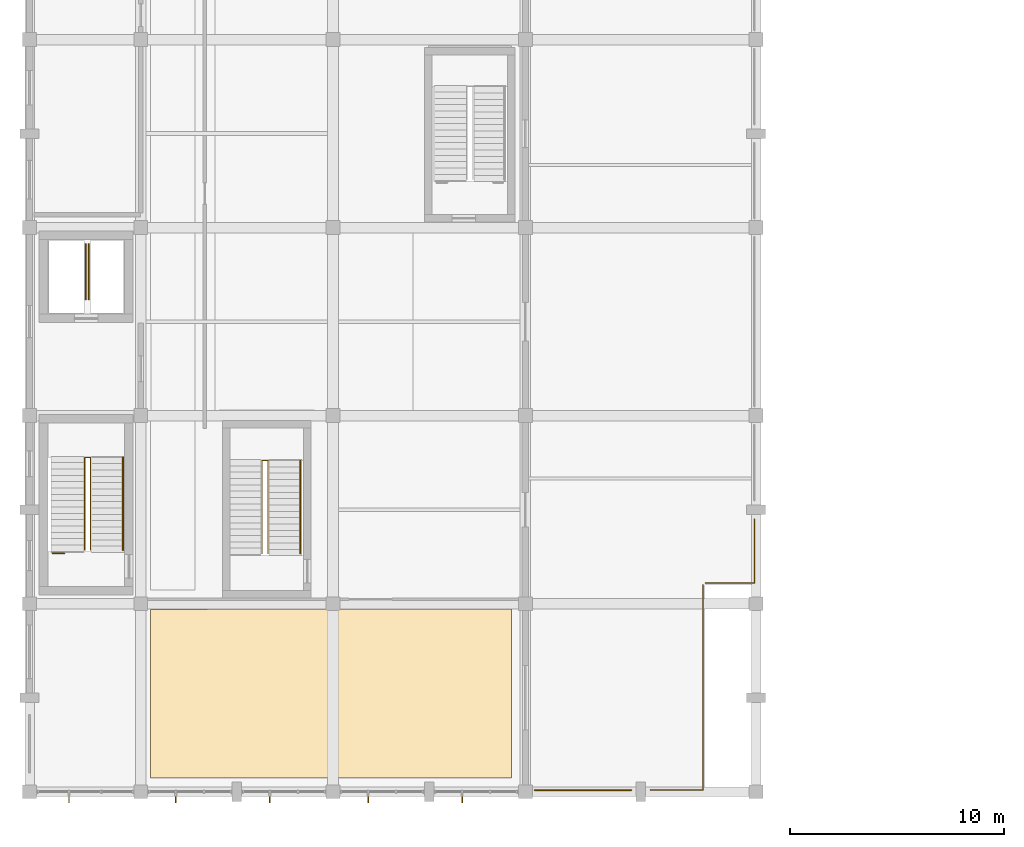
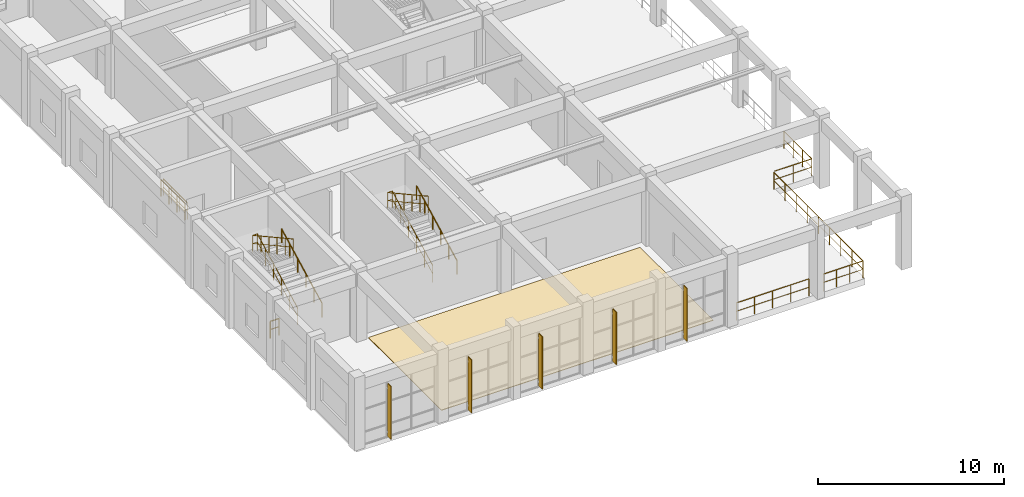
# One storey, part 94 of 104: 9 railings, 5 shading devices, 1 covering.
"""IFC4 building model written with IfcOpenShell, lengths in metres."""

from ifc_helpers import new_model, si_unit, direction, frame, origin, origin_2d, place, context, subcontext, project, spatial, polyline, rectangle, circle, outline, extrude, material, layer, layer_set, type_object, element, save


model = new_model("IFC4")

# Units and contexts
model_context = context("Model", 3, precision=1e-05, world=origin(), true_north=direction((0.0, 1.0)))
body_context = subcontext(model_context, "Body", "Model", "MODEL_VIEW")
ifc_project = project(units=[si_unit("LENGTHUNIT", "METRE"), si_unit("AREAUNIT", "SQUARE_METRE"), si_unit("VOLUMEUNIT", "CUBIC_METRE"), si_unit("PLANEANGLEUNIT", "RADIAN"), si_unit("MASSUNIT", "GRAM", prefix="KILO")], contexts=[model_context])

# Site, building, storey
site_placement = place(None, origin())
site = spatial("IfcSite", under=ifc_project, at=site_placement, CompositionType="ELEMENT")
building_placement = place(site_placement, origin())
building = spatial("IfcBuilding", under=site, at=building_placement, Name="Ventoquebrada Cableway Terminal", CompositionType="ELEMENT")
storey_placement = place(building_placement, frame((0.0, 0.0, 4.800048828125)))
storey = spatial("IfcBuildingStorey", under=building, at=storey_placement, Name="L01", CompositionType="ELEMENT", Elevation=4.800048828125)

# Covering
ifc_material_1 = material(Name="Honed volcanic basalt stone flooring", Category="masonry")
ifc_layer = layer(ifc_material_1, 0.034912109375)
ifc_layer_set = layer_set([ifc_layer], Name="Honed volcanic basalt stone flooring")
covering_type = type_object("IfcCoveringType", Name="COV-FL01", PredefinedType="FLOORING", material=ifc_layer_set)
covering_placement = place(storey_placement, origin())
element("IfcCovering", 1, at=covering_placement, inside=storey, type_object=covering_type, Name="Honed basalt floor finish FL-03", PredefinedType="FLOORING", context=body_context, shape_type="SweptSolid", body=[
    extrude(outline(polyline([(25.550048828125, 3.64990234375), (25.550048828125, 11.550048828125), (11.339111328125, 11.550048828125), (11.2919921875, 11.530029296875), (8.64990234375, 11.530029296875), (8.64990234375, 3.64990234375), (25.550048828125, 3.64990234375)])), origin(), (0.0, 0.0, 1.0), 0.034912109375),
])

# Railings
ifc_material_2 = material(Name="Brushed stainless steel Grade 316", Category="steel")
railing_type_1 = type_object("IfcRailingType", Name="RL-GD01", PredefinedType="GUARDRAIL", material=ifc_material_2)
railing_1_placement = place(storey_placement, frame((5.860107421875, 14.300048828125, 0.14990234375)))
element("IfcRailing", 2, at=railing_1_placement, inside=storey, type_object=railing_type_1, Name="Stair well guardrail GR-S05", PredefinedType="GUARDRAIL", context=body_context, shape_type="SweptSolid", body=[
    extrude(circle(Radius=0.02392578125, at=origin_2d()), frame((0.0, 0.001708984375, 1.096923828125), z_axis=(0.0, 0.888211329745, 0.459435124596), x_axis=(-1.0, 0.0, 0.0)), (0.0, 0.0, 1.0), 4.893310546875),
    extrude(circle(Radius=0.01611328125, at=origin_2d()), frame((0.0, 0.001708984375, 0.56103515625), z_axis=(0.0, 0.888211329745, 0.459435124596), x_axis=(-1.0, 0.0, 0.0)), (0.0, 0.0, 1.0), 4.893310546875),
    extrude(circle(Radius=0.02392578125, at=origin_2d()), frame((-0.001953125, 4.349853515625, 3.34619140625), z_axis=(-1.0, 0.0, 0.0), x_axis=(0.0, -1.0, 0.0)), (0.0, 0.0, 1.0), 0.276123046875),
    extrude(circle(Radius=0.01611328125, at=origin_2d()), frame((-0.001953125, 4.349853515625, 2.81005859375), z_axis=(-1.0, 0.0, 0.0), x_axis=(0.0, -1.0, 0.0)), (0.0, 0.0, 1.0), 0.276123046875),
    extrude(circle(Radius=0.02392578125, at=origin_2d()), frame((-0.280029296875, 4.34814453125, 3.346923828125), z_axis=(0.0, -0.875558331245, 0.483112418167), x_axis=(1.0, 0.0, 0.0)), (0.0, 0.0, 1.0), 4.964111328125),
    extrude(circle(Radius=0.01611328125, at=origin_2d()), frame((-0.280029296875, 4.34814453125, 2.81103515625), z_axis=(0.0, -0.875558331245, 0.483112418167), x_axis=(1.0, 0.0, 0.0)), (0.0, 0.0, 1.0), 4.964111328125),
    extrude(circle(Radius=0.02099609375, at=origin_2d()), origin(), (0.0, 0.0, 1.0), 1.072021484375),
    extrude(circle(Radius=0.02099609375, at=origin_2d()), frame((0.0, 0.869873046875, 0.449951171875)), (0.0, 0.0, 1.0), 1.072021484375),
    extrude(circle(Radius=0.02099609375, at=origin_2d()), frame((0.0, 1.739990234375, 0.89990234375)), (0.0, 0.0, 1.0), 1.072021484375),
    extrude(circle(Radius=0.02099609375, at=origin_2d()), frame((0.0, 2.60986328125, 1.35009765625)), (0.0, 0.0, 1.0), 1.072021484375),
    extrude(circle(Radius=0.02099609375, at=origin_2d()), frame((0.0, 3.47998046875, 1.800048828125)), (0.0, 0.0, 1.0), 1.072021484375),
    extrude(circle(Radius=0.02099609375, at=origin_2d()), frame((0.0, 4.349853515625, 2.25)), (0.0, 0.0, 1.0), 1.072021484375),
    extrude(circle(Radius=0.02099609375, at=origin_2d()), frame((-0.280029296875, 4.349853515625, 2.25)), (0.0, 0.0, 1.0), 1.072021484375),
    extrude(circle(Radius=0.02099609375, at=origin_2d()), frame((-0.280029296875, 3.47998046875, 2.72998046875)), (0.0, 0.0, 1.0), 1.072021484375),
    extrude(circle(Radius=0.02099609375, at=origin_2d()), frame((-0.280029296875, 2.60986328125, 3.2099609375)), (0.0, 0.0, 1.0), 1.072021484375),
    extrude(circle(Radius=0.02099609375, at=origin_2d()), frame((-0.280029296875, 1.739990234375, 3.690185546875)), (0.0, 0.0, 1.0), 1.072021484375),
    extrude(circle(Radius=0.02099609375, at=origin_2d()), frame((-0.280029296875, 0.869873046875, 4.170166015625)), (0.0, 0.0, 1.0), 1.072021484375),
    extrude(circle(Radius=0.02099609375, at=origin_2d()), frame((-0.280029296875, 0.0, 4.650146484375)), (0.0, 0.0, 1.0), 1.072021484375),
])
railing_2_placement = place(storey_placement, frame((14.159912109375, 14.14990234375, 0.14990234375)))
element("IfcRailing", 3, at=railing_2_placement, inside=storey, type_object=railing_type_1, Name="Stair well guardrail GR-S10", PredefinedType="GUARDRAIL", context=body_context, shape_type="SweptSolid", body=[
    extrude(circle(Radius=0.02392578125, at=origin_2d()), frame((0.0, 0.001708984375, 1.096923828125), z_axis=(0.0, 0.888221851817, 0.459414782038), x_axis=(-1.0, 0.0, 0.0)), (0.0, 0.0, 1.0), 4.8935546875),
    extrude(circle(Radius=0.01611328125, at=origin_2d()), frame((0.0, 0.001708984375, 0.56103515625), z_axis=(0.0, 0.888221851817, 0.459414782038), x_axis=(-1.0, 0.0, 0.0)), (0.0, 0.0, 1.0), 4.8935546875),
    extrude(circle(Radius=0.02392578125, at=origin_2d()), frame((-0.001953125, 4.35009765625, 3.34619140625), z_axis=(-1.0, 0.0, 0.0), x_axis=(0.0, -1.0, 0.0)), (0.0, 0.0, 1.0), 0.276123046875),
    extrude(circle(Radius=0.01611328125, at=origin_2d()), frame((-0.001953125, 4.35009765625, 2.81005859375), z_axis=(-1.0, 0.0, 0.0), x_axis=(0.0, -1.0, 0.0)), (0.0, 0.0, 1.0), 0.276123046875),
    extrude(circle(Radius=0.02392578125, at=origin_2d()), frame((-0.280029296875, 4.348388671875, 3.346923828125), z_axis=(0.0, -0.875569800069, 0.483091632309), x_axis=(1.0, 0.0, 0.0)), (0.0, 0.0, 1.0), 4.96435546875),
    extrude(circle(Radius=0.01611328125, at=origin_2d()), frame((-0.280029296875, 4.348388671875, 2.81103515625), z_axis=(0.0, -0.875569800069, 0.483091632309), x_axis=(1.0, 0.0, 0.0)), (0.0, 0.0, 1.0), 4.96435546875),
    extrude(circle(Radius=0.02099609375, at=origin_2d()), origin(), (0.0, 0.0, 1.0), 1.072021484375),
    extrude(circle(Radius=0.02099609375, at=origin_2d()), frame((0.0, 0.8701171875, 0.449951171875)), (0.0, 0.0, 1.0), 1.072021484375),
    extrude(circle(Radius=0.02099609375, at=origin_2d()), frame((0.0, 1.739990234375, 0.89990234375)), (0.0, 0.0, 1.0), 1.072021484375),
    extrude(circle(Radius=0.02099609375, at=origin_2d()), frame((0.0, 2.610107421875, 1.35009765625)), (0.0, 0.0, 1.0), 1.072021484375),
    extrude(circle(Radius=0.02099609375, at=origin_2d()), frame((0.0, 3.47998046875, 1.800048828125)), (0.0, 0.0, 1.0), 1.072021484375),
    extrude(circle(Radius=0.02099609375, at=origin_2d()), frame((0.0, 4.35009765625, 2.25)), (0.0, 0.0, 1.0), 1.072021484375),
    extrude(circle(Radius=0.02099609375, at=origin_2d()), frame((-0.280029296875, 4.35009765625, 2.25)), (0.0, 0.0, 1.0), 1.072021484375),
    extrude(circle(Radius=0.02099609375, at=origin_2d()), frame((-0.280029296875, 3.47998046875, 2.72998046875)), (0.0, 0.0, 1.0), 1.072021484375),
    extrude(circle(Radius=0.02099609375, at=origin_2d()), frame((-0.280029296875, 2.610107421875, 3.2099609375)), (0.0, 0.0, 1.0), 1.072021484375),
    extrude(circle(Radius=0.02099609375, at=origin_2d()), frame((-0.280029296875, 1.739990234375, 3.690185546875)), (0.0, 0.0, 1.0), 1.072021484375),
    extrude(circle(Radius=0.02099609375, at=origin_2d()), frame((-0.280029296875, 0.8701171875, 4.170166015625)), (0.0, 0.0, 1.0), 1.072021484375),
    extrude(circle(Radius=0.02099609375, at=origin_2d()), frame((-0.280029296875, 0.0, 4.650146484375)), (0.0, 0.0, 1.0), 1.072021484375),
])
railing_3_placement = place(storey_placement, frame((4.070068359375, 14.159912109375, 0.0)))
element("IfcRailing", 4, at=railing_3_placement, inside=storey, type_object=railing_type_1, Name="Open-edge guardrail GR-E091", PredefinedType="GUARDRAIL", context=body_context, shape_type="SweptSolid", body=[
    extrude(circle(Radius=0.02392578125, at=origin_2d()), frame((0.001953125, 0.0, 1.09619140625), z_axis=(1.0, 0.0, 0.0), x_axis=(0.0, 1.0, 0.0)), (0.0, 0.0, 1.0), 0.541015625),
    extrude(circle(Radius=0.01611328125, at=origin_2d()), frame((0.001953125, 0.0, 0.56005859375), z_axis=(1.0, 0.0, 0.0), x_axis=(0.0, 1.0, 0.0)), (0.0, 0.0, 1.0), 0.541015625),
    extrude(circle(Radius=0.02099609375, at=origin_2d()), origin(), (0.0, 0.0, 1.0), 1.072021484375),
    extrude(circle(Radius=0.02099609375, at=origin_2d()), frame((0.544921875, 0.0, 0.0)), (0.0, 0.0, 1.0), 1.072021484375),
])
railing_4_placement = place(storey_placement, frame((5.77001953125, 28.6298828125, 0.0)))
element("IfcRailing", 5, at=railing_4_placement, inside=storey, type_object=railing_type_1, Name="Open-edge guardrail GR-E092", PredefinedType="GUARDRAIL", context=body_context, shape_type="SweptSolid", body=[
    extrude(circle(Radius=0.02392578125, at=origin_2d()), frame((0.0, -0.001953125, 1.09619140625), z_axis=(0.0, -1.0, 0.0), x_axis=(1.0, 0.0, 0.0)), (0.0, 0.0, 1.0), 2.5849609375),
    extrude(circle(Radius=0.01611328125, at=origin_2d()), frame((0.0, -0.001953125, 0.56005859375), z_axis=(0.0, -1.0, 0.0), x_axis=(1.0, 0.0, 0.0)), (0.0, 0.0, 1.0), 2.5849609375),
    extrude(circle(Radius=0.02099609375, at=origin_2d()), origin(), (0.0, 0.0, 1.0), 1.072021484375),
    extrude(circle(Radius=0.02099609375, at=origin_2d()), frame((0.0, -0.863037109375, 0.0)), (0.0, 0.0, 1.0), 1.072021484375),
    extrude(circle(Radius=0.02099609375, at=origin_2d()), frame((0.0, -1.725830078125, 0.0)), (0.0, 0.0, 1.0), 1.072021484375),
    extrude(circle(Radius=0.02099609375, at=origin_2d()), frame((0.0, -2.5888671875, 0.0)), (0.0, 0.0, 1.0), 1.072021484375),
])
railing_5_placement = place(storey_placement, frame((5.6298828125, 26.049072265625, 0.0)))
element("IfcRailing", 6, at=railing_5_placement, inside=storey, type_object=railing_type_1, Name="Open-edge guardrail GR-E093", PredefinedType="GUARDRAIL", context=body_context, shape_type="SweptSolid", body=[
    extrude(circle(Radius=0.02392578125, at=origin_2d()), frame((0.0, 0.001953125, 1.09619140625), z_axis=(0.0, 1.0, 0.0), x_axis=(-1.0, 0.0, 0.0)), (0.0, 0.0, 1.0), 2.576904296875),
    extrude(circle(Radius=0.01611328125, at=origin_2d()), frame((0.0, 0.001953125, 0.56005859375), z_axis=(0.0, 1.0, 0.0), x_axis=(-1.0, 0.0, 0.0)), (0.0, 0.0, 1.0), 2.576904296875),
    extrude(circle(Radius=0.02099609375, at=origin_2d()), origin(), (0.0, 0.0, 1.0), 1.072021484375),
    extrude(circle(Radius=0.02099609375, at=origin_2d()), frame((0.0, 0.8603515625, 0.0)), (0.0, 0.0, 1.0), 1.072021484375),
    extrude(circle(Radius=0.02099609375, at=origin_2d()), frame((0.0, 1.720458984375, 0.0)), (0.0, 0.0, 1.0), 1.072021484375),
    extrude(circle(Radius=0.02099609375, at=origin_2d()), frame((0.0, 2.580810546875, 0.0)), (0.0, 0.0, 1.0), 1.072021484375),
])
railing_type_2 = type_object("IfcRailingType", Name="RL-GD02", PredefinedType="BALUSTRADE", material=ifc_material_2)
railing_6_placement = place(storey_placement, frame((36.919921875, 15.757080078125, 0.0)))
element("IfcRailing", 7, at=railing_6_placement, inside=storey, type_object=railing_type_2, Name="Terrace balustrade GR-E087", PredefinedType="BALUSTRADE", context=body_context, shape_type="SweptSolid", body=[
    extrude(circle(Radius=0.02392578125, at=origin_2d()), frame((0.0, -0.001953125, 1.1259765625), z_axis=(0.0, -1.0, 0.0), x_axis=(1.0, 0.0, 0.0)), (0.0, 0.0, 1.0), 2.9931640625),
    extrude(circle(Radius=0.01611328125, at=origin_2d()), frame((0.0, -0.001953125, 0.574951171875), z_axis=(0.0, -1.0, 0.0), x_axis=(1.0, 0.0, 0.0)), (0.0, 0.0, 1.0), 2.9931640625),
    extrude(circle(Radius=0.02392578125, at=origin_2d()), frame((-0.001953125, -2.9970703125, 1.1259765625), z_axis=(-1.0, 0.0, 0.0), x_axis=(0.0, -1.0, 0.0)), (0.0, 0.0, 1.0), 2.298095703125),
    extrude(circle(Radius=0.01611328125, at=origin_2d()), frame((-0.001953125, -2.9970703125, 0.574951171875), z_axis=(-1.0, 0.0, 0.0), x_axis=(0.0, -1.0, 0.0)), (0.0, 0.0, 1.0), 2.298095703125),
    extrude(circle(Radius=0.02392578125, at=origin_2d()), frame((-2.39794921875, -3.0791015625, 1.1259765625), z_axis=(-0.000203453621, -0.999999979303, 0.0), x_axis=(0.999999979303, -0.000203453621, 0.0)), (0.0, 0.0, 1.0), 9.595947265625),
    extrude(circle(Radius=0.01611328125, at=origin_2d()), frame((-2.39794921875, -3.0791015625, 0.574951171875), z_axis=(-0.000203453621, -0.999999979303, 0.0), x_axis=(0.999999979303, -0.000203453621, 0.0)), (0.0, 0.0, 1.0), 9.595947265625),
    extrude(circle(Radius=0.02392578125, at=origin_2d()), frame((-2.40185546875, -12.677001953125, 1.1259765625), z_axis=(-1.0, 0.0, 0.0), x_axis=(0.0, -1.0, 0.0)), (0.0, 0.0, 1.0), 2.47412109375),
    extrude(circle(Radius=0.01611328125, at=origin_2d()), frame((-2.40185546875, -12.677001953125, 0.574951171875), z_axis=(-1.0, 0.0, 0.0), x_axis=(0.0, -1.0, 0.0)), (0.0, 0.0, 1.0), 2.47412109375),
    extrude(circle(Radius=0.02099609375, at=origin_2d()), origin(), (0.0, 0.0, 1.0), 1.101806640625),
    extrude(circle(Radius=0.02099609375, at=origin_2d()), frame((0.0, -0.9990234375, 0.0)), (0.0, 0.0, 1.0), 1.101806640625),
    extrude(circle(Radius=0.02099609375, at=origin_2d()), frame((0.0, -1.998046875, 0.0)), (0.0, 0.0, 1.0), 1.101806640625),
    extrude(circle(Radius=0.02099609375, at=origin_2d()), frame((0.0, -2.9970703125, 0.0)), (0.0, 0.0, 1.0), 1.101806640625),
    extrude(circle(Radius=0.02099609375, at=origin_2d()), frame((-1.15087890625, -2.9970703125, 0.0)), (0.0, 0.0, 1.0), 1.101806640625),
    extrude(circle(Radius=0.02099609375, at=origin_2d()), frame((-2.39794921875, -3.0771484375, 0.0)), (0.0, 0.0, 1.0), 1.101806640625),
    extrude(circle(Radius=0.02099609375, at=origin_2d()), frame((-2.398193359375, -4.277099609375, 0.0)), (0.0, 0.0, 1.0), 1.101806640625),
    extrude(circle(Radius=0.02099609375, at=origin_2d()), frame((-2.3984375, -5.47705078125, 0.0)), (0.0, 0.0, 1.0), 1.101806640625),
    extrude(circle(Radius=0.02099609375, at=origin_2d()), frame((-2.398681640625, -6.677001953125, 0.0)), (0.0, 0.0, 1.0), 1.101806640625),
    extrude(circle(Radius=0.02099609375, at=origin_2d()), frame((-2.39892578125, -7.876953125, 0.0)), (0.0, 0.0, 1.0), 1.101806640625),
    extrude(circle(Radius=0.02099609375, at=origin_2d()), frame((-2.399169921875, -9.0771484375, 0.0)), (0.0, 0.0, 1.0), 1.101806640625),
    extrude(circle(Radius=0.02099609375, at=origin_2d()), frame((-2.3994140625, -10.277099609375, 0.0)), (0.0, 0.0, 1.0), 1.101806640625),
    extrude(circle(Radius=0.02099609375, at=origin_2d()), frame((-2.399658203125, -11.47705078125, 0.0)), (0.0, 0.0, 1.0), 1.101806640625),
    extrude(circle(Radius=0.02099609375, at=origin_2d()), frame((-2.39990234375, -12.677001953125, 0.0)), (0.0, 0.0, 1.0), 1.101806640625),
    extrude(circle(Radius=0.02099609375, at=origin_2d()), frame((-3.225830078125, -12.677001953125, 0.0)), (0.0, 0.0, 1.0), 1.101806640625),
    extrude(circle(Radius=0.02099609375, at=origin_2d()), frame((-4.052001953125, -12.677001953125, 0.0)), (0.0, 0.0, 1.0), 1.101806640625),
    extrude(circle(Radius=0.02099609375, at=origin_2d()), frame((-4.8779296875, -12.677001953125, 0.0)), (0.0, 0.0, 1.0), 1.101806640625),
])
railing_7_placement = place(storey_placement, frame((31.157958984375, 3.080078125, 0.0)))
element("IfcRailing", 8, at=railing_7_placement, inside=storey, type_object=railing_type_2, Name="Terrace balustrade GR-E088", PredefinedType="BALUSTRADE", context=body_context, shape_type="SweptSolid", body=[
    extrude(circle(Radius=0.02392578125, at=origin_2d()), frame((-0.001953125, 0.0, 1.1259765625), z_axis=(-1.0, 0.0, 0.0), x_axis=(0.0, -1.0, 0.0)), (0.0, 0.0, 1.0), 4.511962890625),
    extrude(circle(Radius=0.01611328125, at=origin_2d()), frame((-0.001953125, 0.0, 0.574951171875), z_axis=(-1.0, 0.0, 0.0), x_axis=(0.0, -1.0, 0.0)), (0.0, 0.0, 1.0), 4.511962890625),
    extrude(circle(Radius=0.02099609375, at=origin_2d()), origin(), (0.0, 0.0, 1.0), 1.101806640625),
    extrude(circle(Radius=0.02099609375, at=origin_2d()), frame((-1.12890625, 0.0, 0.0)), (0.0, 0.0, 1.0), 1.101806640625),
    extrude(circle(Radius=0.02099609375, at=origin_2d()), frame((-2.2578125, 0.0, 0.0)), (0.0, 0.0, 1.0), 1.101806640625),
    extrude(circle(Radius=0.02099609375, at=origin_2d()), frame((-3.386962890625, 0.0, 0.0)), (0.0, 0.0, 1.0), 1.101806640625),
    extrude(circle(Radius=0.02099609375, at=origin_2d()), frame((-4.515869140625, 0.0, 0.0)), (0.0, 0.0, 1.0), 1.101806640625),
])
railing_type_3 = type_object("IfcRailingType", Name="RL-HR01", PredefinedType="HANDRAIL", material=ifc_material_2)
railing_8_placement = place(storey_placement, frame((7.3701171875, 14.300048828125, 0.14990234375)))
element("IfcRailing", 9, at=railing_8_placement, inside=storey, type_object=railing_type_3, Name="Stair wall handrail HR-S05", PredefinedType="HANDRAIL", context=body_context, shape_type="SweptSolid", body=[
    extrude(circle(Radius=0.02392578125, at=origin_2d()), frame((0.0, 0.001708984375, 0.896728515625), z_axis=(0.0, 0.888211329745, 0.459435124596), x_axis=(-1.0, 0.0, 0.0)), (0.0, 0.0, 1.0), 4.893310546875),
    extrude(circle(Radius=0.02099609375, at=origin_2d()), origin(), (0.0, 0.0, 1.0), 0.871826171875),
    extrude(circle(Radius=0.02099609375, at=origin_2d()), frame((0.0, 0.869873046875, 0.449951171875)), (0.0, 0.0, 1.0), 0.871826171875),
    extrude(circle(Radius=0.02099609375, at=origin_2d()), frame((0.0, 1.739990234375, 0.89990234375)), (0.0, 0.0, 1.0), 0.871826171875),
    extrude(circle(Radius=0.02099609375, at=origin_2d()), frame((0.0, 2.60986328125, 1.35009765625)), (0.0, 0.0, 1.0), 0.871826171875),
    extrude(circle(Radius=0.02099609375, at=origin_2d()), frame((0.0, 3.47998046875, 1.800048828125)), (0.0, 0.0, 1.0), 0.871826171875),
    extrude(circle(Radius=0.02099609375, at=origin_2d()), frame((0.0, 4.349853515625, 2.25)), (0.0, 0.0, 1.0), 0.871826171875),
])
railing_9_placement = place(storey_placement, frame((15.669921875, 14.14990234375, 0.14990234375)))
element("IfcRailing", 10, at=railing_9_placement, inside=storey, type_object=railing_type_3, Name="Stair wall handrail HR-S10", PredefinedType="HANDRAIL", context=body_context, shape_type="SweptSolid", body=[
    extrude(circle(Radius=0.02392578125, at=origin_2d()), frame((0.0, 0.001708984375, 0.896728515625), z_axis=(0.0, 0.888221851817, 0.459414782038), x_axis=(-1.0, 0.0, 0.0)), (0.0, 0.0, 1.0), 4.8935546875),
    extrude(circle(Radius=0.02099609375, at=origin_2d()), origin(), (0.0, 0.0, 1.0), 0.871826171875),
    extrude(circle(Radius=0.02099609375, at=origin_2d()), frame((0.0, 0.8701171875, 0.449951171875)), (0.0, 0.0, 1.0), 0.871826171875),
    extrude(circle(Radius=0.02099609375, at=origin_2d()), frame((0.0, 1.739990234375, 0.89990234375)), (0.0, 0.0, 1.0), 0.871826171875),
    extrude(circle(Radius=0.02099609375, at=origin_2d()), frame((0.0, 2.610107421875, 1.35009765625)), (0.0, 0.0, 1.0), 0.871826171875),
    extrude(circle(Radius=0.02099609375, at=origin_2d()), frame((0.0, 3.47998046875, 1.800048828125)), (0.0, 0.0, 1.0), 0.871826171875),
    extrude(circle(Radius=0.02099609375, at=origin_2d()), frame((0.0, 4.35009765625, 2.25)), (0.0, 0.0, 1.0), 0.871826171875),
])

# Shading devices
ifc_material_3 = material(Name="Anodized thermally-broken aluminium", Category="aluminium")
shading_device_type = type_object("IfcShadingDeviceType", Name="SHD-AW1", PredefinedType="AWNING", material=ifc_material_3)
for number, where, z_axis, x_axis, name in (
    (11, (4.843017578125, 2.659912109375, 0.150390625), (0.0, 0.0, 1.0), (1.0, 0.0, 0.0), "Extruded aluminium sunshade fin FN-001"),
    (12, (9.843017578125, 2.659912109375, 0.150390625), (0.0, 0.0, 1.0), (1.0, 0.0, 0.0), "Extruded aluminium sunshade fin FN-002"),
    (13, (14.242919921875, 2.659912109375, 0.150390625), (0.0, 0.0, 1.0), (1.0, 0.0, 0.0), "Extruded aluminium sunshade fin FN-003"),
    (14, (18.843017578125, 2.659912109375, 0.150390625), (0.0, 0.0, 1.0), (1.0, 0.0, 0.0), "Extruded aluminium sunshade fin FN-004"),
    (15, (23.242919921875, 2.659912109375, 0.150390625), (0.0, 0.0, 1.0), (1.0, 0.0, 0.0), "Extruded aluminium sunshade fin FN-005"),
):
    element("IfcShadingDevice", number, at=place(storey_placement, frame(where, z_axis=z_axis, x_axis=x_axis)), inside=storey, type_object=shading_device_type, Name=name, PredefinedType="AWNING", context=body_context, shape_type="SweptSolid", body=[
        extrude(rectangle(XDim=0.044921875, YDim=0.360107421875, at=origin_2d()), origin(), (0.0, 0.0, 1.0), 3.47509765625),
    ])

save(model, "model.ifc")
